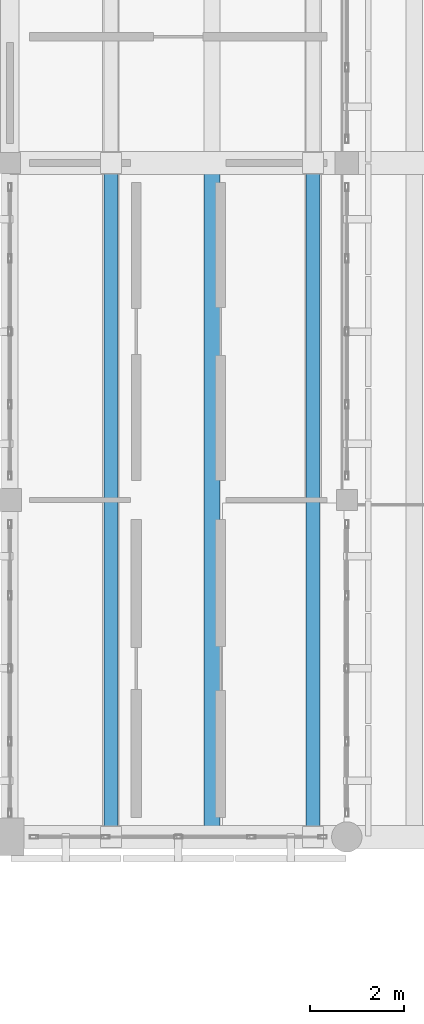
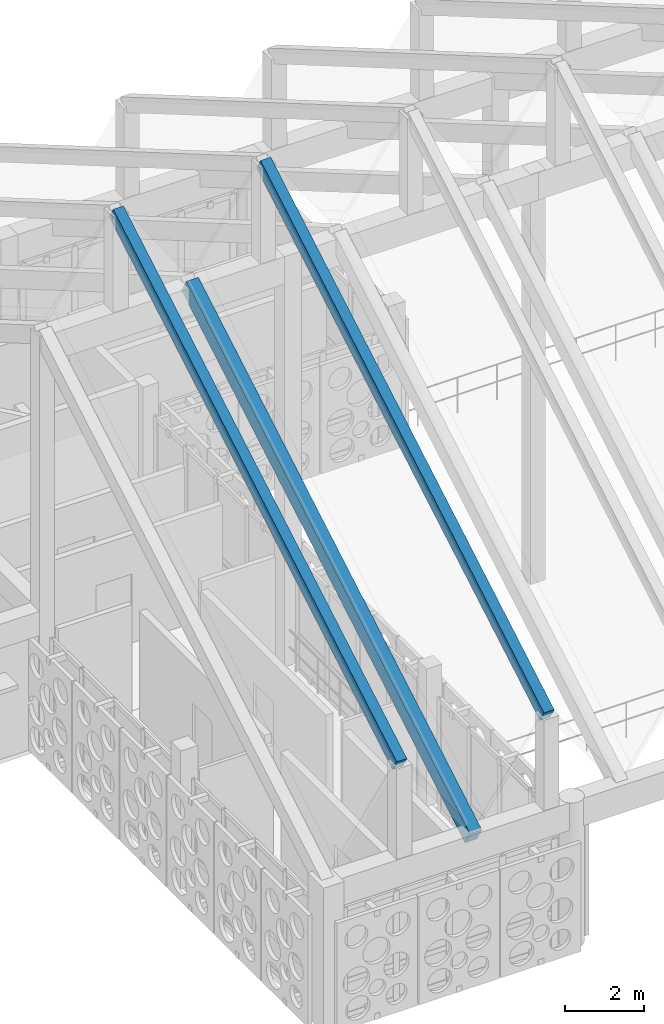
# One storey, part 18 of 171: 3 beams.
"""IFC4 building model written with IfcOpenShell, lengths in metres."""

import ifcopenshell
import ifcopenshell.guid

model = None  # the IFC model being written
_history = None  # IfcOwnerHistory: only IFC2X3 demands one
_inside = {}  # id of a spatial element -> (the spatial element, [elements in it])
_under = {}  # id of a project, library or spatial element -> (it, [spatial elements below it])
_declared = {}  # id of a project -> (the project, [libraries it declares])
_typed = {}  # id of a type object -> (the type object, [elements of that type])
_made_of = {}  # id of a material, layer set ... -> (it, [elements and type objects made of it])


def new_model(schema):
    """Start an empty IFC model of exactly this schema.

    Asked for "IFC4X3", IfcOpenShell would pick the latest addendum, in which some entities
    have other attributes; the version numbers below select the first issue.
    IFC2X3 requires an IfcOwnerHistory on every rooted entity: one is made here for all.
    """
    global model, _history
    if schema == "IFC4X3":
        model = ifcopenshell.file(schema_version=(4, 3, 0, 0))
    else:
        model = ifcopenshell.file(schema=schema)
    _inside.clear()
    _under.clear()
    _declared.clear()
    _typed.clear()
    _made_of.clear()
    _history = None
    if model.schema == "IFC2X3":
        org = make("IfcOrganization", Name="unknown")
        user = make(
            "IfcPersonAndOrganization",
            ThePerson=make("IfcPerson", FamilyName="unknown"),
            TheOrganization=org,
        )
        app = make(
            "IfcApplication",
            ApplicationDeveloper=org,
            Version="unknown",
            ApplicationFullName="unknown",
            ApplicationIdentifier="unknown",
        )
        _history = make(
            "IfcOwnerHistory",
            OwningUser=user,
            OwningApplication=app,
            ChangeAction="ADDED",
            CreationDate=0,
        )
    return model


def make(cls, **values):
    """One entity of the class cls with the attributes given. An attribute that is None is left unset."""
    return model.create_entity(
        cls, **{name: value for name, value in values.items() if value is not None}
    )


def rooted(cls, **values):
    """An entity with a GlobalId (a new one), such as an element, a storey or a relation."""
    return make(cls, GlobalId=ifcopenshell.guid.new(), OwnerHistory=_history, **values)


def si_unit(unit_type, name, prefix=None):
    """IfcSIUnit, for example si_unit("LENGTHUNIT", "METRE", prefix="MILLI")."""
    return make("IfcSIUnit", UnitType=unit_type, Prefix=prefix, Name=name)


def assignment(units):
    """IfcUnitAssignment: the units of a project."""
    return None if units is None else make("IfcUnitAssignment", Units=units)


def point(xyz):
    """IfcCartesianPoint."""
    return None if xyz is None else make("IfcCartesianPoint", Coordinates=xyz)


def direction(xyz):
    """IfcDirection."""
    return None if xyz is None else make("IfcDirection", DirectionRatios=xyz)


def frame(location, z_axis=None, x_axis=None):
    """IfcAxis2Placement3D, a coordinate frame: its origin and axes. An axis left out is left unset."""
    return make(
        "IfcAxis2Placement3D",
        Location=point(location),
        Axis=direction(z_axis),
        RefDirection=direction(x_axis),
    )


def frame_2d(location, x_axis=None):
    """IfcAxis2Placement2D, a coordinate frame in the plane: its origin and x axis."""
    return make(
        "IfcAxis2Placement2D", Location=point(location), RefDirection=direction(x_axis)
    )


def origin():
    """The frame at (0, 0, 0) with its axes left unset."""
    return frame((0.0, 0.0, 0.0))


def origin_2d():
    """The frame at (0, 0) in the plane with its x axis left unset."""
    return frame_2d((0.0, 0.0))


def place(relative_to, where):
    """IfcLocalPlacement: puts the frame where relative to a parent placement (None: the world)."""
    return make(
        "IfcLocalPlacement", PlacementRelTo=relative_to, RelativePlacement=where
    )


def context(
    kind, dimensions, precision=None, world=None, true_north=None, identifier=None
):
    """IfcGeometricRepresentationContext, for example the 3D "Model" context."""
    return make(
        "IfcGeometricRepresentationContext",
        ContextIdentifier=identifier,
        ContextType=kind,
        CoordinateSpaceDimension=dimensions,
        Precision=precision,
        WorldCoordinateSystem=world,
        TrueNorth=true_north,
    )


def subcontext(parent, identifier, kind, view, scale=None):
    """IfcGeometricRepresentationSubContext, for example "Body" below "Model"."""
    return make(
        "IfcGeometricRepresentationSubContext",
        ContextIdentifier=identifier,
        ContextType=kind,
        ParentContext=parent,
        TargetScale=scale,
        TargetView=view,
    )


def project(units=None, contexts=None):
    """IfcProject with its units and contexts."""
    return rooted(
        "IfcProject",
        Name="project",
        RepresentationContexts=contexts,
        UnitsInContext=assignment(units),
    )


def spatial(cls, under=None, at=None, **own):
    """A site, building, storey or space (cls), placed at a placement, below another one or the project."""
    s = rooted(cls, ObjectPlacement=at, **own)
    if under is not None:
        _under.setdefault(under.id(), (under, []))[1].append(s)
    return s


def profile(cls, at=None, kind="AREA", **sizes):
    """A parametric profile (cls). Its sizes go by their IFC names, for example OverallWidth=200.0."""
    return make(cls, ProfileType=kind, Position=at, **sizes)


def rectangle(**sizes):
    """IfcRectangleProfileDef."""
    return profile("IfcRectangleProfileDef", **sizes)


def extrude(swept, where, along, depth):
    """IfcExtrudedAreaSolid: the profile swept, set in the frame where, extruded along a direction by depth."""
    return make(
        "IfcExtrudedAreaSolid",
        SweptArea=swept,
        Position=where,
        ExtrudedDirection=direction(along),
        Depth=depth,
    )


def shape(context_of_items, identifier, shape_type, items):
    """IfcShapeRepresentation: the items that make up one representation, for example the "Body"."""
    return make(
        "IfcShapeRepresentation",
        ContextOfItems=context_of_items,
        RepresentationIdentifier=identifier,
        RepresentationType=shape_type,
        Items=items,
    )


def material(Name=None, Category=None):
    """IfcMaterial."""
    return make("IfcMaterial", Name=Name, Category=Category)


def material_profile(
    of_material, cross_section, Name=None, Category=None, Priority=None
):
    """IfcMaterialProfile: a cross section and its material."""
    return make(
        "IfcMaterialProfile",
        Name=Name,
        Material=of_material,
        Profile=cross_section,
        Priority=Priority,
        Category=Category,
    )


def profile_set(profiles, Name=None, composite=None):
    """IfcMaterialProfileSet."""
    return make(
        "IfcMaterialProfileSet",
        Name=Name,
        MaterialProfiles=profiles,
        CompositeProfile=composite,
    )


def made_of(thing, what):
    """Note that an element or type object is made of a material, layer set ...; save() writes the relation."""
    if what is not None:
        _made_of.setdefault(what.id(), (what, []))[1].append(thing)
    return thing


def type_object(cls, material=None, **own):
    """A type object (cls), such as IfcWallType, which elements share."""
    return made_of(rooted(cls, **own), material)


def element(
    cls,
    number,
    at=None,
    inside=None,
    cuts=None,
    type_object=None,
    material=None,
    context=None,
    identifier="Body",
    shape_type=None,
    held_by="IfcProductDefinitionShape",
    body=None,
    shapes=None,
    **own,
):
    """One element of the class cls, such as IfcWall. Its Tag is "e" and its number.

    at: its placement. inside: the storey or other place that contains it. cuts: it is an
    opening in that element (IfcRelVoidsElement). A single representation is given by context,
    identifier, shape_type and body (its items); several are given by shapes. held_by: the class
    of the entity that holds the representations. save() writes the other relations.
    """
    e = rooted(cls, Tag="e%d" % number, ObjectPlacement=at, **own)
    if body is not None:
        shapes = [shape(context, identifier, shape_type, body)]
    if shapes is not None:
        e.Representation = make(held_by, Representations=shapes)
    if inside is not None:
        _inside.setdefault(inside.id(), (inside, []))[1].append(e)
    if cuts is not None:
        rooted(
            "IfcRelVoidsElement", RelatingBuildingElement=cuts, RelatedOpeningElement=e
        )
    if type_object is not None:
        _typed.setdefault(type_object.id(), (type_object, []))[1].append(e)
    return made_of(e, material)


def aggregate(whole, parts):
    """IfcRelAggregates: a whole, such as a stair, and the parts it consists of."""
    return rooted("IfcRelAggregates", RelatingObject=whole, RelatedObjects=parts)


def save(model, path):
    """Write the relations noted so far, then the file.

    IfcRelAggregates (storeys below a building ...), IfcRelContainedInSpatialStructure (elements
    in a storey), IfcRelDefinesByType, IfcRelAssociatesMaterial and IfcRelDeclares: one each for
    every whole, place, type object, material and project.
    """
    for whole, parts in _under.values():
        aggregate(whole, parts)
    for where, things in _inside.values():
        rooted(
            "IfcRelContainedInSpatialStructure",
            RelatedElements=things,
            RelatingStructure=where,
        )
    for kind, things in _typed.values():
        rooted("IfcRelDefinesByType", RelatedObjects=things, RelatingType=kind)
    for what, things in _made_of.values():
        rooted("IfcRelAssociatesMaterial", RelatedObjects=things, RelatingMaterial=what)
    for by, libraries in _declared.values():
        rooted("IfcRelDeclares", RelatingContext=by, RelatedDefinitions=libraries)
    model.write(path)


model = new_model("IFC4")

# Units and contexts
model_context = context("Model", 3, precision=1e-05, world=origin(), true_north=direction((0.0, 1.0)))
body_context = subcontext(model_context, "Body", "Model", "MODEL_VIEW")
ifc_project = project(units=[si_unit("LENGTHUNIT", "METRE"), si_unit("AREAUNIT", "SQUARE_METRE"), si_unit("VOLUMEUNIT", "CUBIC_METRE"), si_unit("PLANEANGLEUNIT", "RADIAN"), si_unit("MASSUNIT", "GRAM", prefix="KILO")], contexts=[model_context])

# Site, building, storey
site_placement = place(None, origin())
site = spatial("IfcSite", under=ifc_project, at=site_placement, CompositionType="ELEMENT")
building_placement = place(site_placement, origin())
building = spatial("IfcBuilding", under=site, at=building_placement, Name="Aldebral Square Health Centre", CompositionType="ELEMENT")
storey_placement = place(building_placement, frame((0.0, 0.0, 4.5)))
storey = spatial("IfcBuildingStorey", under=building, at=storey_placement, Name="L01", CompositionType="ELEMENT", Elevation=4.5)

# Beams
ifc_material = material(Name="Concrete C40/50", Category="concrete")
ifc_material_profile_1 = material_profile(ifc_material, rectangle(XDim=0.300048828125, YDim=0.419921875, at=origin_2d()), Name="RC 300x420")
ifc_profile_set_1 = profile_set([ifc_material_profile_1], Name="Concrete C40/50")
beam_type_1 = type_object("IfcBeamType", Name="BM-FP2", PredefinedType="BEAM", material=ifc_profile_set_1)
for number, where, z_axis, x_axis, name in (
    (1, (66.9599609375, 72.0, 7.25), (0.0, 0.863779963214, 0.503869204407), (-1.0, 0.0, 0.0), "Folded-plate south ridge rib 1"),
    (2, (71.280029296875, 72.0, 7.25), (0.0, 0.863779963214, 0.503869204407), (-1.0, 0.0, 0.0), "Folded-plate south ridge rib 2"),
):
    element("IfcBeam", number, at=place(storey_placement, frame(where, z_axis=z_axis, x_axis=x_axis)), inside=storey, type_object=beam_type_1, Name=name, PredefinedType="BEAM", context=body_context, shape_type="SweptSolid", body=[
        extrude(rectangle(XDim=0.300048828125, YDim=0.419921875, at=origin_2d()), origin(), (0.0, 0.0, 1.0), 16.6708984375),
    ])
ifc_material_profile_2 = material_profile(ifc_material, rectangle(XDim=0.35009765625, YDim=0.5, at=origin_2d()), Name="RC 350x500")
ifc_profile_set_2 = profile_set([ifc_material_profile_2], Name="Concrete C40/50")
beam_type_2 = type_object("IfcBeamType", Name="BM-SP1", PredefinedType="SPANDREL", material=ifc_profile_set_2)
beam_placement = place(storey_placement, frame((69.1201171875, 72.0, 4.25), z_axis=(0.0, 0.863779963214, 0.503869204407), x_axis=(-1.0, 0.0, 0.0)))
element("IfcBeam", 3, at=beam_placement, inside=storey, type_object=beam_type_2, Name="Folded-plate south valley beam 2", PredefinedType="SPANDREL", context=body_context, shape_type="SweptSolid", body=[
    extrude(rectangle(XDim=0.35009765625, YDim=0.5, at=origin_2d()), origin(), (0.0, 0.0, 1.0), 16.6708984375),
])

save(model, "model.ifc")
